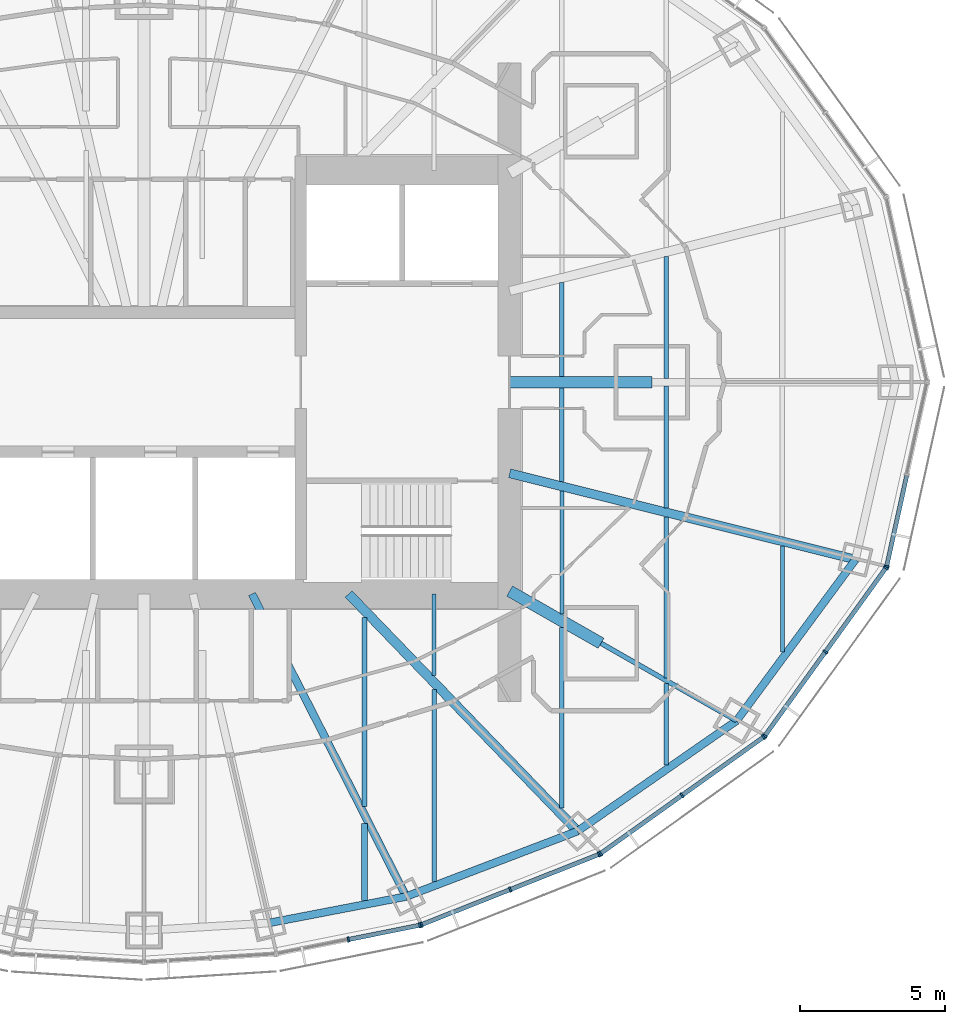
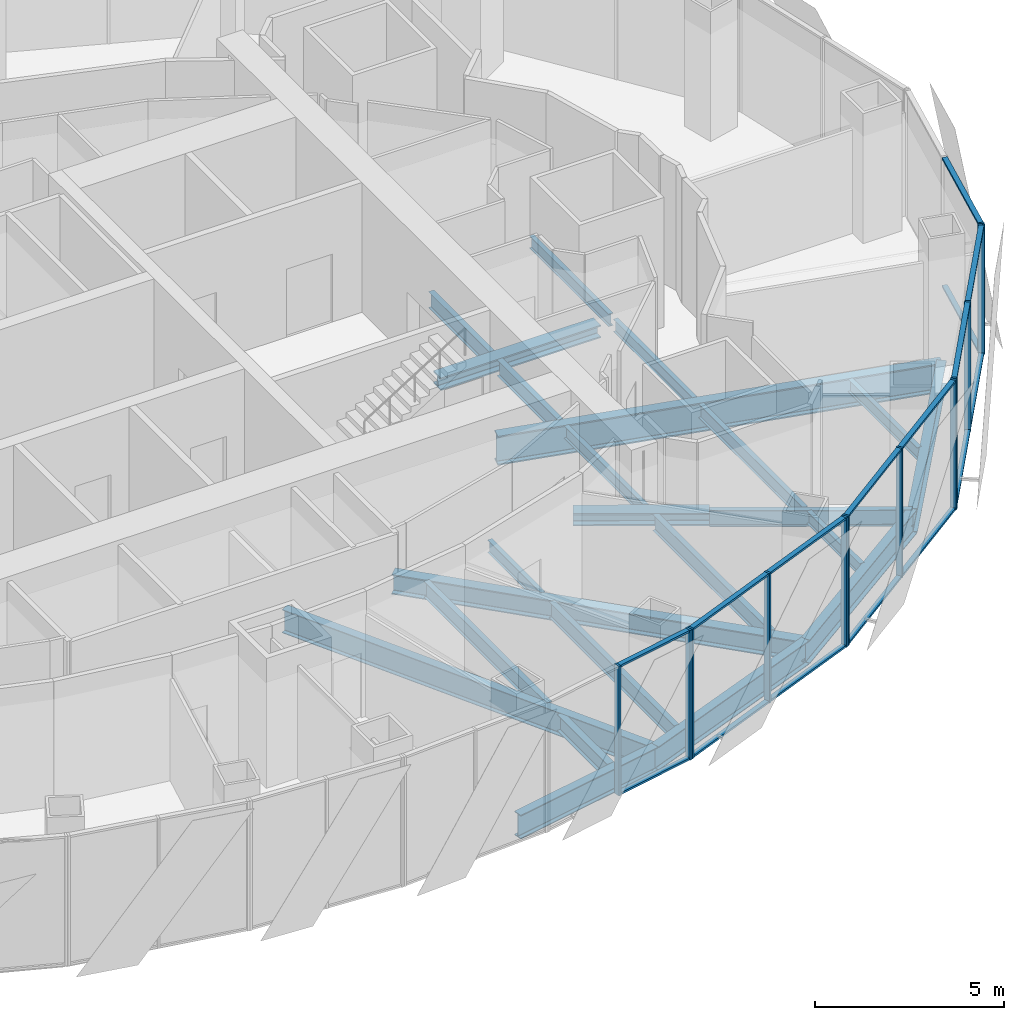
# One storey, part 6 of 19: 28 members, 23 beams, 5 elements without a shape of their own.
"""IFC4 building model written with IfcOpenShell, lengths in metres."""

from ifc_helpers import new_model, si_unit, direction, frame, origin, origin_2d, place, context, subcontext, project, spatial, rectangle, i_section, extrude, material, material_profile, profile_set, type_object, element, aggregate, save


model = new_model("IFC4")

# Units and contexts
model_context = context("Model", 3, precision=1e-05, world=origin(), true_north=direction((0.0, 1.0)))
body_context = subcontext(model_context, "Body", "Model", "MODEL_VIEW")
ifc_project = project(units=[si_unit("LENGTHUNIT", "METRE"), si_unit("AREAUNIT", "SQUARE_METRE"), si_unit("VOLUMEUNIT", "CUBIC_METRE"), si_unit("PLANEANGLEUNIT", "RADIAN"), si_unit("MASSUNIT", "GRAM", prefix="KILO")], contexts=[model_context])

# Site, building, storey
site_placement = place(None, origin())
site = spatial("IfcSite", under=ifc_project, at=site_placement, CompositionType="ELEMENT")
building_placement = place(site_placement, origin())
building = spatial("IfcBuilding", under=site, at=building_placement, Name="Lantaw Convention Tower", CompositionType="ELEMENT")
storey_placement = place(building_placement, frame((0.0, 0.0, 249.39990234375)))
storey = spatial("IfcBuildingStorey", under=building, at=storey_placement, Name="L58", CompositionType="ELEMENT", Elevation=249.39990234375)

# Beams
ifc_material_1 = material(Name="Steel ASTM A992", Category="steel")
ifc_material_profile_1 = material_profile(ifc_material_1, i_section(OverallWidth=0.2666015625, OverallDepth=0.76953125, WebThickness=0.015625, FlangeThickness=0.025390625, FilletRadius=0.0126953125, at=origin_2d()), Name="W30X132")
ifc_profile_set_1 = profile_set([ifc_material_profile_1], Name="Steel ASTM A992")
beam_type_1 = type_object("IfcBeamType", Name="Beam E W30X132", PredefinedType="SPANDREL", material=ifc_profile_set_1)
beam_1_placement = place(storey_placement, frame((4.303955078125, -18.64208984375, -0.53466796875), z_axis=(0.981972091702, 0.189025953556, 0.0), x_axis=(-0.189025953556, 0.981972091702, 0.0)))
element("IfcBeam", 1, at=beam_1_placement, inside=storey, type_object=beam_type_1, Name="Edge beam 20", PredefinedType="SPANDREL", context=body_context, shape_type="SweptSolid", body=[
    extrude(i_section(OverallWidth=0.2666015625, OverallDepth=0.76953125, WebThickness=0.015625, FlangeThickness=0.025390625, FilletRadius=0.0126953125, at=origin_2d()), origin(), (0.0, 0.0, 1.0), 4.817626953125),
])
beam_2_placement = place(storey_placement, frame((9.03466796875, -17.7314453125, -0.53466796875), z_axis=(0.934234988, 0.356658081637, 0.0), x_axis=(-0.356658081637, 0.934234988, 0.0)))
element("IfcBeam", 2, at=beam_2_placement, inside=storey, type_object=beam_type_1, Name="Edge beam 21", PredefinedType="SPANDREL", context=body_context, shape_type="SweptSolid", body=[
    extrude(i_section(OverallWidth=0.2666015625, OverallDepth=0.76953125, WebThickness=0.015625, FlangeThickness=0.025390625, FilletRadius=0.0126953125, at=origin_2d()), origin(), (0.0, 0.0, 1.0), 6.32568359375),
])
beam_3_placement = place(storey_placement, frame((14.9443359375, -15.475341796875, -0.53466796875), z_axis=(0.82135329406, 0.570419815869, 0.0), x_axis=(-0.570419815869, 0.82135329406, 0.0)))
element("IfcBeam", 3, at=beam_3_placement, inside=storey, type_object=beam_type_1, Name="Edge beam 22", PredefinedType="SPANDREL", context=body_context, shape_type="SweptSolid", body=[
    extrude(i_section(OverallWidth=0.2666015625, OverallDepth=0.76953125, WebThickness=0.015625, FlangeThickness=0.025390625, FilletRadius=0.0126953125, at=origin_2d()), origin(), (0.0, 0.0, 1.0), 6.67041015625),
])
beam_4_placement = place(storey_placement, frame((20.423095703125, -11.67041015625, -0.53466796875), z_axis=(0.593639188853, 0.804731329984, 0.0), x_axis=(-0.804731329984, 0.593639188853, 0.0)))
element("IfcBeam", 4, at=beam_4_placement, inside=storey, type_object=beam_type_1, Name="Edge beam 23", PredefinedType="SPANDREL", context=body_context, shape_type="SweptSolid", body=[
    extrude(i_section(OverallWidth=0.2666015625, OverallDepth=0.76953125, WebThickness=0.015625, FlangeThickness=0.025390625, FilletRadius=0.0126953125, at=origin_2d()), origin(), (0.0, 0.0, 1.0), 6.904541015625),
])
ifc_material_profile_2 = material_profile(ifc_material_1, i_section(OverallWidth=0.165771484375, OverallDepth=0.5283203125, WebThickness=0.009765625, FlangeThickness=0.013671875, FilletRadius=0.012939453125, at=origin_2d()), Name="W21X50")
ifc_profile_set_2 = profile_set([ifc_material_profile_2], Name="Steel ASTM A992")
beam_type_2 = type_object("IfcBeamType", Name="Beam G W21X50", PredefinedType="BEAM", material=ifc_profile_set_2)
beam_5_placement = place(storey_placement, frame((15.75, -9.0, -0.4140625), z_axis=(0.868237559289, -0.496148708192, 0.0), x_axis=(0.496148708192, 0.868237559289, 0.0)))
element("IfcBeam", 5, at=beam_5_placement, inside=storey, type_object=beam_type_2, Name="Floor girder on ray 23", PredefinedType="BEAM", context=body_context, shape_type="SweptSolid", body=[
    extrude(i_section(OverallWidth=0.165771484375, OverallDepth=0.5283203125, WebThickness=0.009765625, FlangeThickness=0.013671875, FilletRadius=0.012939453125, at=origin_2d()), origin(), (0.0, 0.0, 1.0), 5.38232421875),
])
ifc_material_profile_3 = material_profile(ifc_material_1, i_section(OverallWidth=0.32763671875, OverallDepth=0.64013671875, WebThickness=0.01904296875, FlangeThickness=0.033935546875, FilletRadius=0.0126953125, at=origin_2d()), Name="W24X176")
ifc_profile_set_3 = profile_set([ifc_material_profile_3], Name="Steel ASTM A992")
beam_type_3 = type_object("IfcBeamType", Name="Beam G W24X176", PredefinedType="BEAM", material=ifc_profile_set_3)
beam_6_placement = place(storey_placement, frame((7.049560546875, -7.300048828125, -0.469970703125), z_axis=(0.694657766726, -0.719340383356, 0.0), x_axis=(0.719340383356, 0.694657766726, 0.0)))
element("IfcBeam", 6, at=beam_6_placement, inside=storey, type_object=beam_type_3, Name="Floor girder on ray 22", PredefinedType="BEAM", context=body_context, shape_type="SweptSolid", body=[
    extrude(i_section(OverallWidth=0.32763671875, OverallDepth=0.64013671875, WebThickness=0.01904296875, FlangeThickness=0.033935546875, FilletRadius=0.0126953125, at=origin_2d()), origin(), (0.0, 0.0, 1.0), 11.364990234375),
])
ifc_material_profile_4 = material_profile(ifc_material_1, i_section(OverallWidth=0.2666015625, OverallDepth=0.7568359375, WebThickness=0.013916015625, FlangeThickness=0.019287109375, FilletRadius=0.0126953125, at=origin_2d()), Name="W30X108")
ifc_profile_set_4 = profile_set([ifc_material_profile_4], Name="Steel ASTM A992")
beam_type_4 = type_object("IfcBeamType", Name="Beam G W30X108", PredefinedType="BEAM", material=ifc_profile_set_4)
beam_7_placement = place(storey_placement, frame((3.719482421875, -7.300048828125, -0.5283203125), z_axis=(0.4539988787, -0.891002254845, 0.0), x_axis=(0.891002254845, 0.4539988787, 0.0)))
element("IfcBeam", 7, at=beam_7_placement, inside=storey, type_object=beam_type_4, Name="Floor girder on ray 21", PredefinedType="BEAM", context=body_context, shape_type="SweptSolid", body=[
    extrude(i_section(OverallWidth=0.2666015625, OverallDepth=0.7568359375, WebThickness=0.013916015625, FlangeThickness=0.019287109375, FilletRadius=0.0126953125, at=origin_2d()), origin(), (0.0, 0.0, 1.0), 11.70751953125),
])
ifc_material_profile_5 = material_profile(ifc_material_1, i_section(OverallWidth=0.307373046875, OverallDepth=0.9423828125, WebThickness=0.022216796875, FlangeThickness=0.039794921875, FilletRadius=0.0126953125, at=origin_2d()), Name="W36X232")
ifc_profile_set_5 = profile_set([ifc_material_profile_5], Name="Steel ASTM A992")
beam_type_5 = type_object("IfcBeamType", Name="Beam G W36X232", PredefinedType="BEAM", material=ifc_profile_set_5)
beam_8_placement = place(storey_placement, frame((12.60009765625, -3.1416015625, -0.62109375), z_axis=(0.970296589314, -0.241918434119, 0.0), x_axis=(0.241918434119, 0.970296589314, 0.0)))
element("IfcBeam", 8, at=beam_8_placement, inside=storey, type_object=beam_type_5, Name="Floor girder on ray 24", PredefinedType="BEAM", context=body_context, shape_type="SweptSolid", body=[
    extrude(i_section(OverallWidth=0.307373046875, OverallDepth=0.9423828125, WebThickness=0.022216796875, FlangeThickness=0.039794921875, FilletRadius=0.0126953125, at=origin_2d()), origin(), (0.0, 0.0, 1.0), 12.286865234375),
])
ifc_material_profile_6 = material_profile(ifc_material_1, i_section(OverallWidth=0.40380859375, OverallDepth=0.406494140625, WebThickness=0.027099609375, FlangeThickness=0.043701171875, FilletRadius=0.01513671875, at=origin_2d()), Name="W14X233")
ifc_profile_set_6 = profile_set([ifc_material_profile_6], Name="Steel ASTM A992")
beam_type_6 = type_object("IfcBeamType", Name="Beam GM W14X233", PredefinedType="BEAM", material=ifc_profile_set_6)
beam_9_placement = place(storey_placement, frame((12.60009765625, 0.0, -0.35302734375), z_axis=(1.0, 0.0, 0.0), x_axis=(0.0, 1.0, 0.0)))
element("IfcBeam", 9, at=beam_9_placement, inside=storey, type_object=beam_type_6, Name="Core link beam on ray 1", PredefinedType="BEAM", context=body_context, shape_type="SweptSolid", body=[
    extrude(i_section(OverallWidth=0.40380859375, OverallDepth=0.406494140625, WebThickness=0.027099609375, FlangeThickness=0.043701171875, FilletRadius=0.01513671875, at=origin_2d()), origin(), (0.0, 0.0, 1.0), 4.89990234375),
])
beam_10_placement = place(storey_placement, frame((12.60009765625, -7.199951171875, -0.35302734375), z_axis=(0.868230718294, -0.496160679428, 0.0), x_axis=(0.496160679428, 0.868230718294, 0.0)))
element("IfcBeam", 10, at=beam_10_placement, inside=storey, type_object=beam_type_6, Name="Core link beam on ray 23", PredefinedType="BEAM", context=body_context, shape_type="SweptSolid", body=[
    extrude(i_section(OverallWidth=0.40380859375, OverallDepth=0.406494140625, WebThickness=0.027099609375, FlangeThickness=0.043701171875, FilletRadius=0.01513671875, at=origin_2d()), origin(), (0.0, 0.0, 1.0), 3.6279296875),
])
ifc_material_profile_7 = material_profile(ifc_material_1, i_section(OverallWidth=0.140380859375, OverallDepth=0.40380859375, WebThickness=0.007080078125, FlangeThickness=0.01123046875, FilletRadius=0.01025390625, at=origin_2d()), Name="W16X31")
ifc_profile_set_7 = profile_set([ifc_material_profile_7], Name="Steel ASTM A992")
beam_type_7 = type_object("IfcBeamType", Name="Beam J W16X31", PredefinedType="JOIST", material=ifc_profile_set_7)
beam_11_placement = place(storey_placement, frame((10.0, -10.119384765625, -0.351806640625), z_axis=(0.0, 1.0, 0.0), x_axis=(-1.0, 0.0, 0.0)))
element("IfcBeam", 11, at=beam_11_placement, inside=storey, type_object=beam_type_7, Name="Floor joist", PredefinedType="JOIST", context=body_context, shape_type="SweptSolid", body=[
    extrude(i_section(OverallWidth=0.140380859375, OverallDepth=0.40380859375, WebThickness=0.007080078125, FlangeThickness=0.01123046875, FilletRadius=0.01025390625, at=origin_2d()), origin(), (0.0, 0.0, 1.0), 2.8193359375),
])
beam_12_placement = place(storey_placement, frame((14.39990234375, -7.99609375, -0.351806640625), z_axis=(0.0, 1.0, 0.0), x_axis=(-1.0, 0.0, 0.0)))
element("IfcBeam", 12, at=beam_12_placement, inside=storey, type_object=beam_type_7, Name="Floor joist", PredefinedType="JOIST", context=body_context, shape_type="SweptSolid", body=[
    extrude(i_section(OverallWidth=0.140380859375, OverallDepth=0.40380859375, WebThickness=0.007080078125, FlangeThickness=0.01123046875, FilletRadius=0.01025390625, at=origin_2d()), origin(), (0.0, 0.0, 1.0), 4.247314453125),
])
beam_13_placement = place(storey_placement, frame((18.0, -13.19091796875, -0.351806640625), z_axis=(0.0, 1.0, 0.0), x_axis=(-1.0, 0.0, 0.0)))
element("IfcBeam", 13, at=beam_13_placement, inside=storey, type_object=beam_type_7, Name="Floor joist", PredefinedType="JOIST", context=body_context, shape_type="SweptSolid", body=[
    extrude(i_section(OverallWidth=0.140380859375, OverallDepth=0.40380859375, WebThickness=0.007080078125, FlangeThickness=0.01123046875, FilletRadius=0.01025390625, at=origin_2d()), origin(), (0.0, 0.0, 1.0), 2.8095703125),
])
for number, where, z_axis, x_axis, name in (
    (14, (18.0, -4.32958984375, -0.351806640625), (0.0, 1.0, 0.0), (-1.0, 0.0, 0.0), "Floor joist"),
    (15, (18.0, 0.126953125, -0.351806640625), (0.0, 1.0, 0.0), (-1.0, 0.0, 0.0), "Floor joist"),
):
    element("IfcBeam", number, at=place(storey_placement, frame(where, z_axis=z_axis, x_axis=x_axis)), inside=storey, type_object=beam_type_7, Name=name, PredefinedType="JOIST", context=body_context, shape_type="SweptSolid", body=[
        extrude(i_section(OverallWidth=0.140380859375, OverallDepth=0.40380859375, WebThickness=0.007080078125, FlangeThickness=0.01123046875, FilletRadius=0.01025390625, at=origin_2d()), origin(), (0.0, 0.0, 1.0), 4.20263671875),
    ])
beam_14_placement = place(storey_placement, frame((22.0, -9.30810546875, -0.351806640625), z_axis=(0.0, 1.0, 0.0), x_axis=(-1.0, 0.0, 0.0)))
element("IfcBeam", 16, at=beam_14_placement, inside=storey, type_object=beam_type_7, Name="Floor joist", PredefinedType="JOIST", context=body_context, shape_type="SweptSolid", body=[
    extrude(i_section(OverallWidth=0.140380859375, OverallDepth=0.40380859375, WebThickness=0.007080078125, FlangeThickness=0.01123046875, FilletRadius=0.01025390625, at=origin_2d()), origin(), (0.0, 0.0, 1.0), 3.66455078125),
])
ifc_material_profile_8 = material_profile(ifc_material_1, i_section(OverallWidth=0.15234375, OverallDepth=0.449462890625, WebThickness=0.007568359375, FlangeThickness=0.0107421875, FilletRadius=0.01025390625, at=origin_2d()), Name="W18X35")
ifc_profile_set_8 = profile_set([ifc_material_profile_8], Name="Steel ASTM A992")
beam_type_8 = type_object("IfcBeamType", Name="Beam J W18X35", PredefinedType="JOIST", material=ifc_profile_set_8)
beam_15_placement = place(storey_placement, frame((18.0, -10.190185546875, -0.374755859375), z_axis=(0.0, 1.0, 0.0), x_axis=(-1.0, 0.0, 0.0)))
element("IfcBeam", 17, at=beam_15_placement, inside=storey, type_object=beam_type_8, Name="Floor joist", PredefinedType="JOIST", context=body_context, shape_type="SweptSolid", body=[
    extrude(i_section(OverallWidth=0.15234375, OverallDepth=0.449462890625, WebThickness=0.007568359375, FlangeThickness=0.0107421875, FilletRadius=0.01025390625, at=origin_2d()), origin(), (0.0, 0.0, 1.0), 5.5439453125),
])
ifc_material_profile_9 = material_profile(ifc_material_1, i_section(OverallWidth=0.1650390625, OverallDepth=0.52587890625, WebThickness=0.0087890625, FlangeThickness=0.011474609375, FilletRadius=0.0126953125, at=origin_2d()), Name="W21X44")
ifc_profile_set_9 = profile_set([ifc_material_profile_9], Name="Steel ASTM A992")
beam_type_9 = type_object("IfcBeamType", Name="Beam J W21X44", PredefinedType="JOIST", material=ifc_profile_set_9)
beam_16_placement = place(storey_placement, frame((7.60009765625, -14.6220703125, -0.412841796875), z_axis=(0.0, 1.0, 0.0), x_axis=(-1.0, 0.0, 0.0)))
element("IfcBeam", 18, at=beam_16_placement, inside=storey, type_object=beam_type_9, Name="Floor joist", PredefinedType="JOIST", context=body_context, shape_type="SweptSolid", body=[
    extrude(i_section(OverallWidth=0.1650390625, OverallDepth=0.52587890625, WebThickness=0.0087890625, FlangeThickness=0.011474609375, FilletRadius=0.0126953125, at=origin_2d()), origin(), (0.0, 0.0, 1.0), 6.51611328125),
])
beam_17_placement = place(storey_placement, frame((10.0, -17.22021484375, -0.412841796875), z_axis=(0.0, 1.0, 0.0), x_axis=(-1.0, 0.0, 0.0)))
element("IfcBeam", 19, at=beam_17_placement, inside=storey, type_object=beam_type_9, Name="Floor joist", PredefinedType="JOIST", context=body_context, shape_type="SweptSolid", body=[
    extrude(i_section(OverallWidth=0.1650390625, OverallDepth=0.52587890625, WebThickness=0.0087890625, FlangeThickness=0.011474609375, FilletRadius=0.0126953125, at=origin_2d()), origin(), (0.0, 0.0, 1.0), 6.629150390625),
])
beam_18_placement = place(storey_placement, frame((14.39990234375, -14.67578125, -0.412841796875), z_axis=(0.0, 1.0, 0.0), x_axis=(-1.0, 0.0, 0.0)))
element("IfcBeam", 20, at=beam_18_placement, inside=storey, type_object=beam_type_9, Name="Floor joist", PredefinedType="JOIST", context=body_context, shape_type="SweptSolid", body=[
    extrude(i_section(OverallWidth=0.1650390625, OverallDepth=0.52587890625, WebThickness=0.0087890625, FlangeThickness=0.011474609375, FilletRadius=0.0126953125, at=origin_2d()), origin(), (0.0, 0.0, 1.0), 6.214599609375),
])
for number, where, z_axis, x_axis, name in (
    (21, (14.39990234375, -3.431884765625, -0.412841796875), (0.0, 1.0, 0.0), (-1.0, 0.0, 0.0), "Floor joist"),
    (22, (14.39990234375, 0.201904296875, -0.412841796875), (0.0, 1.0, 0.0), (-1.0, 0.0, 0.0), "Floor joist"),
):
    element("IfcBeam", number, at=place(storey_placement, frame(where, z_axis=z_axis, x_axis=x_axis)), inside=storey, type_object=beam_type_9, Name=name, PredefinedType="JOIST", context=body_context, shape_type="SweptSolid", body=[
        extrude(i_section(OverallWidth=0.1650390625, OverallDepth=0.52587890625, WebThickness=0.0087890625, FlangeThickness=0.011474609375, FilletRadius=0.0126953125, at=origin_2d()), origin(), (0.0, 0.0, 1.0), 3.22998046875),
    ])
ifc_material_profile_10 = material_profile(ifc_material_1, i_section(OverallWidth=0.2099609375, OverallDepth=0.535888671875, WebThickness=0.010986328125, FlangeThickness=0.017333984375, FilletRadius=0.012939453125, at=origin_2d()), Name="W21X68")
ifc_profile_set_10 = profile_set([ifc_material_profile_10], Name="Steel ASTM A992")
beam_type_10 = type_object("IfcBeamType", Name="Beam J W21X68", PredefinedType="JOIST", material=ifc_profile_set_10)
beam_19_placement = place(storey_placement, frame((7.60009765625, -17.871826171875, -0.41796875), z_axis=(0.0, 1.0, 0.0), x_axis=(-1.0, 0.0, 0.0)))
element("IfcBeam", 23, at=beam_19_placement, inside=storey, type_object=beam_type_10, Name="Floor joist", PredefinedType="JOIST", context=body_context, shape_type="SweptSolid", body=[
    extrude(i_section(OverallWidth=0.2099609375, OverallDepth=0.535888671875, WebThickness=0.010986328125, FlangeThickness=0.017333984375, FilletRadius=0.012939453125, at=origin_2d()), origin(), (0.0, 0.0, 1.0), 2.662353515625),
])

# Curtain wall, members
ifc_material_2 = material(Name="Aluminium framed curtain wall", Category="aluminium")
curtain_wall_type = type_object("IfcCurtainWallType", Name="Office curtain wall high rise, pale aluminium", PredefinedType="USERDEFINED", material=ifc_material_2)
curtain_wall_1_placement = place(storey_placement, origin())
curtain_wall_1 = element("IfcCurtainWall", 24, at=curtain_wall_1_placement, inside=storey, type_object=curtain_wall_type, Name="Office curtain wall high rise, pale aluminium L58", ObjectType="UNITISED CURTAIN WALL", PredefinedType="USERDEFINED")
ifc_material_3 = material(Name="Aluminium 6063-T6", Category="aluminium")
ifc_material_profile_11 = material_profile(ifc_material_3, rectangle(XDim=0.179931640625, YDim=0.06494140625, at=origin_2d()), Name="CW-O2 mullion 65x180")
ifc_profile_set_11 = profile_set([ifc_material_profile_11], Name="Aluminium 6063-T6")
member_type_1 = type_object("IfcMemberType", Name="CW-O2 mullion 65x180", PredefinedType="MULLION", material=ifc_profile_set_11)
member_1_placement = place(storey_placement, frame((7.042724609375, -19.212646484375, -0.14990234375), z_axis=(0.0, 0.0, 1.0), x_axis=(-0.197183095987, 0.980366679695, 0.0)))
member_1 = element("IfcMember", 25, at=member_1_placement, type_object=member_type_1, Name="CW-O2 mullion 2", PredefinedType="MULLION", context=body_context, shape_type="SweptSolid", body=[
    extrude(rectangle(XDim=0.179931640625, YDim=0.06494140625, at=origin_2d()), origin(), (0.0, 0.0, 1.0), 4.199951171875),
])
member_2_placement = place(storey_placement, frame((9.502197265625, -18.718017578125, -0.14990234375), z_axis=(0.0, 0.0, 1.0), x_axis=(-0.197183095987, 0.980366679695, 0.0)))
member_2 = element("IfcMember", 26, at=member_2_placement, type_object=member_type_1, Name="CW-O2 mullion 3", PredefinedType="MULLION", context=body_context, shape_type="SweptSolid", body=[
    extrude(rectangle(XDim=0.179931640625, YDim=0.06494140625, at=origin_2d()), origin(), (0.0, 0.0, 1.0), 4.199951171875),
])

curtain_wall_2_placement = place(storey_placement, origin())
curtain_wall_2 = element("IfcCurtainWall", 27, at=curtain_wall_2_placement, inside=storey, type_object=curtain_wall_type, Name="Office curtain wall high rise, pale aluminium L58", ObjectType="UNITISED CURTAIN WALL", PredefinedType="USERDEFINED")
member_3_placement = place(storey_placement, frame((9.564208984375, -18.69970703125, -0.14990234375), z_axis=(0.0, 0.0, 1.0), x_axis=(-0.368162315252, 0.929761533743, 0.0)))
member_3 = element("IfcMember", 28, at=member_3_placement, type_object=member_type_1, Name="CW-O2 mullion 1", PredefinedType="MULLION", context=body_context, shape_type="SweptSolid", body=[
    extrude(rectangle(XDim=0.179931640625, YDim=0.06494140625, at=origin_2d()), origin(), (0.0, 0.0, 1.0), 4.199951171875),
])
member_4_placement = place(storey_placement, frame((12.621337890625, -17.4892578125, -0.14990234375), z_axis=(0.0, 0.0, 1.0), x_axis=(-0.368162315252, 0.929761533743, 0.0)))
member_4 = element("IfcMember", 29, at=member_4_placement, type_object=member_type_1, Name="CW-O2 mullion 2", PredefinedType="MULLION", context=body_context, shape_type="SweptSolid", body=[
    extrude(rectangle(XDim=0.179931640625, YDim=0.06494140625, at=origin_2d()), origin(), (0.0, 0.0, 1.0), 4.199951171875),
])
member_5_placement = place(storey_placement, frame((15.67822265625, -16.278564453125, -0.14990234375), z_axis=(0.0, 0.0, 1.0), x_axis=(-0.368162315252, 0.929761533743, 0.0)))
member_5 = element("IfcMember", 30, at=member_5_placement, type_object=member_type_1, Name="CW-O2 mullion 3", PredefinedType="MULLION", context=body_context, shape_type="SweptSolid", body=[
    extrude(rectangle(XDim=0.179931640625, YDim=0.06494140625, at=origin_2d()), origin(), (0.0, 0.0, 1.0), 4.199951171875),
])

curtain_wall_3_placement = place(storey_placement, origin())
curtain_wall_3 = element("IfcCurtainWall", 31, at=curtain_wall_3_placement, inside=storey, type_object=curtain_wall_type, Name="Office curtain wall high rise, pale aluminium L58", ObjectType="UNITISED CURTAIN WALL", PredefinedType="USERDEFINED")
member_6_placement = place(storey_placement, frame((15.73486328125, -16.247802734375, -0.14990234375), z_axis=(0.0, 0.0, 1.0), x_axis=(-0.581323487281, 0.813672540482, 0.0)))
member_6 = element("IfcMember", 32, at=member_6_placement, type_object=member_type_1, Name="CW-O2 mullion 1", PredefinedType="MULLION", context=body_context, shape_type="SweptSolid", body=[
    extrude(rectangle(XDim=0.179931640625, YDim=0.06494140625, at=origin_2d()), origin(), (0.0, 0.0, 1.0), 4.199951171875),
])
member_7_placement = place(storey_placement, frame((18.543212890625, -14.241455078125, -0.14990234375), z_axis=(0.0, 0.0, 1.0), x_axis=(-0.581323487281, 0.813672540482, 0.0)))
member_7 = element("IfcMember", 33, at=member_7_placement, type_object=member_type_1, Name="CW-O2 mullion 2", PredefinedType="MULLION", context=body_context, shape_type="SweptSolid", body=[
    extrude(rectangle(XDim=0.179931640625, YDim=0.06494140625, at=origin_2d()), origin(), (0.0, 0.0, 1.0), 4.199951171875),
])
member_8_placement = place(storey_placement, frame((21.3515625, -12.23486328125, -0.14990234375), z_axis=(0.0, 0.0, 1.0), x_axis=(-0.581323487281, 0.813672540482, 0.0)))
member_8 = element("IfcMember", 34, at=member_8_placement, type_object=member_type_1, Name="CW-O2 mullion 3", PredefinedType="MULLION", context=body_context, shape_type="SweptSolid", body=[
    extrude(rectangle(XDim=0.179931640625, YDim=0.06494140625, at=origin_2d()), origin(), (0.0, 0.0, 1.0), 4.199951171875),
])

curtain_wall_4_placement = place(storey_placement, origin())
curtain_wall_4 = element("IfcCurtainWall", 35, at=curtain_wall_4_placement, inside=storey, type_object=curtain_wall_type, Name="Office curtain wall high rise, pale aluminium L58", ObjectType="UNITISED CURTAIN WALL", PredefinedType="USERDEFINED")
member_9_placement = place(storey_placement, frame((21.397216796875, -12.189697265625, -0.14990234375), z_axis=(0.0, 0.0, 1.0), x_axis=(-0.810919559405, 0.585157643865, 0.0)))
member_9 = element("IfcMember", 36, at=member_9_placement, type_object=member_type_1, Name="CW-O2 mullion 1", PredefinedType="MULLION", context=body_context, shape_type="SweptSolid", body=[
    extrude(rectangle(XDim=0.179931640625, YDim=0.06494140625, at=origin_2d()), origin(), (0.0, 0.0, 1.0), 4.199951171875),
])
member_10_placement = place(storey_placement, frame((23.483642578125, -9.298095703125, -0.14990234375), z_axis=(0.0, 0.0, 1.0), x_axis=(-0.810919559405, 0.585157643865, 0.0)))
member_10 = element("IfcMember", 37, at=member_10_placement, type_object=member_type_1, Name="CW-O2 mullion 2", PredefinedType="MULLION", context=body_context, shape_type="SweptSolid", body=[
    extrude(rectangle(XDim=0.179931640625, YDim=0.06494140625, at=origin_2d()), origin(), (0.0, 0.0, 1.0), 4.199951171875),
])
member_11_placement = place(storey_placement, frame((25.5703125, -6.406494140625, -0.14990234375), z_axis=(0.0, 0.0, 1.0), x_axis=(-0.810919559405, 0.585157643865, 0.0)))
member_11 = element("IfcMember", 38, at=member_11_placement, type_object=member_type_1, Name="CW-O2 mullion 3", PredefinedType="MULLION", context=body_context, shape_type="SweptSolid", body=[
    extrude(rectangle(XDim=0.179931640625, YDim=0.06494140625, at=origin_2d()), origin(), (0.0, 0.0, 1.0), 4.199951171875),
])

# Curtain wall, member
curtain_wall_5_placement = place(storey_placement, origin())
curtain_wall_5 = element("IfcCurtainWall", 39, at=curtain_wall_5_placement, inside=storey, type_object=curtain_wall_type, Name="Office curtain wall high rise, pale aluminium L58", ObjectType="UNITISED CURTAIN WALL", PredefinedType="USERDEFINED")
member_12_placement = place(storey_placement, frame((25.596435546875, -6.348388671875, -0.14990234375), z_axis=(0.0, 0.0, 1.0), x_axis=(-0.976417396437, 0.215891333626, 0.0)))
member_12 = element("IfcMember", 40, at=member_12_placement, type_object=member_type_1, Name="CW-O2 mullion 1", PredefinedType="MULLION", context=body_context, shape_type="SweptSolid", body=[
    extrude(rectangle(XDim=0.179931640625, YDim=0.06494140625, at=origin_2d()), origin(), (0.0, 0.0, 1.0), 4.199951171875),
])

# Member
ifc_material_profile_12 = material_profile(ifc_material_3, rectangle(XDim=0.14990234375, YDim=0.06494140625, at=origin_2d()), Name="CW-O2 transom 65x150")
ifc_profile_set_12 = profile_set([ifc_material_profile_12], Name="Aluminium 6063-T6")
member_type_2 = type_object("IfcMemberType", Name="CW-O2 transom 65x150", PredefinedType="USERDEFINED", material=ifc_profile_set_12)
member_13_placement = place(storey_placement, frame((7.074462890625, -19.206298828125, -0.117431640625), z_axis=(0.98036104319, 0.197211117829, 0.0), x_axis=(-0.197211117829, 0.98036104319, 0.0)))
member_13 = element("IfcMember", 41, at=member_13_placement, type_object=member_type_2, Name="CW-O2 transom 2.1", ObjectType="TRANSOM", PredefinedType="USERDEFINED", context=body_context, shape_type="SweptSolid", body=[
    extrude(rectangle(XDim=0.14990234375, YDim=0.06494140625, at=origin_2d()), origin(), (0.0, 0.0, 1.0), 2.44384765625),
])

member_14_placement = place(storey_placement, frame((7.074462890625, -19.206298828125, 4.017578125), z_axis=(0.98036104319, 0.197211117829, 0.0), x_axis=(-0.197211117829, 0.98036104319, 0.0)))
member_14 = element("IfcMember", 42, at=member_14_placement, type_object=member_type_2, Name="CW-O2 transom 2.2", ObjectType="TRANSOM", PredefinedType="USERDEFINED", context=body_context, shape_type="SweptSolid", body=[
    extrude(rectangle(XDim=0.14990234375, YDim=0.06494140625, at=origin_2d()), origin(), (0.0, 0.0, 1.0), 2.44384765625),
])

aggregate(curtain_wall_1, [member_1, member_2, member_13, member_14])

member_15_placement = place(storey_placement, frame((9.594482421875, -18.687744140625, -0.117431640625), z_axis=(0.929766642946, 0.368149412149, 0.0), x_axis=(-0.368149412149, 0.929766642946, 0.0)))
member_15 = element("IfcMember", 43, at=member_15_placement, type_object=member_type_2, Name="CW-O2 transom 1.1", ObjectType="TRANSOM", PredefinedType="USERDEFINED", context=body_context, shape_type="SweptSolid", body=[
    extrude(rectangle(XDim=0.14990234375, YDim=0.06494140625, at=origin_2d()), origin(), (0.0, 0.0, 1.0), 3.222900390625),
])

member_16_placement = place(storey_placement, frame((9.594482421875, -18.687744140625, 4.017578125), z_axis=(0.929766642946, 0.368149412149, 0.0), x_axis=(-0.368149412149, 0.929766642946, 0.0)))
member_16 = element("IfcMember", 44, at=member_16_placement, type_object=member_type_2, Name="CW-O2 transom 1.2", ObjectType="TRANSOM", PredefinedType="USERDEFINED", context=body_context, shape_type="SweptSolid", body=[
    extrude(rectangle(XDim=0.14990234375, YDim=0.06494140625, at=origin_2d()), origin(), (0.0, 0.0, 1.0), 3.222900390625),
])

member_17_placement = place(storey_placement, frame((12.651611328125, -17.477294921875, -0.117431640625), z_axis=(0.929740712354, 0.368214893495, 0.0), x_axis=(-0.368214893495, 0.929740712354, 0.0)))
member_17 = element("IfcMember", 45, at=member_17_placement, type_object=member_type_2, Name="CW-O2 transom 2.1", ObjectType="TRANSOM", PredefinedType="USERDEFINED", context=body_context, shape_type="SweptSolid", body=[
    extrude(rectangle(XDim=0.14990234375, YDim=0.06494140625, at=origin_2d()), origin(), (0.0, 0.0, 1.0), 3.22314453125),
])

member_18_placement = place(storey_placement, frame((12.651611328125, -17.477294921875, 4.017578125), z_axis=(0.929740712354, 0.368214893495, 0.0), x_axis=(-0.368214893495, 0.929740712354, 0.0)))
member_18 = element("IfcMember", 46, at=member_18_placement, type_object=member_type_2, Name="CW-O2 transom 2.2", ObjectType="TRANSOM", PredefinedType="USERDEFINED", context=body_context, shape_type="SweptSolid", body=[
    extrude(rectangle(XDim=0.14990234375, YDim=0.06494140625, at=origin_2d()), origin(), (0.0, 0.0, 1.0), 3.22314453125),
])

aggregate(curtain_wall_2, [member_3, member_4, member_5, member_15, member_16, member_17, member_18])

member_19_placement = place(storey_placement, frame((15.761474609375, -16.22900390625, -0.117431640625), z_axis=(0.813645780821, 0.581360940683, 0.0), x_axis=(-0.581360940683, 0.813645780821, 0.0)))
member_19 = element("IfcMember", 47, at=member_19_placement, type_object=member_type_2, Name="CW-O2 transom 1.1", ObjectType="TRANSOM", PredefinedType="USERDEFINED", context=body_context, shape_type="SweptSolid", body=[
    extrude(rectangle(XDim=0.14990234375, YDim=0.06494140625, at=origin_2d()), origin(), (0.0, 0.0, 1.0), 3.386474609375),
])

member_20_placement = place(storey_placement, frame((15.761474609375, -16.22900390625, 4.017578125), z_axis=(0.813645780821, 0.581360940683, 0.0), x_axis=(-0.581360940683, 0.813645780821, 0.0)))
member_20 = element("IfcMember", 48, at=member_20_placement, type_object=member_type_2, Name="CW-O2 transom 1.2", ObjectType="TRANSOM", PredefinedType="USERDEFINED", context=body_context, shape_type="SweptSolid", body=[
    extrude(rectangle(XDim=0.14990234375, YDim=0.06494140625, at=origin_2d()), origin(), (0.0, 0.0, 1.0), 3.386474609375),
])

member_21_placement = place(storey_placement, frame((18.56982421875, -14.222412109375, -0.117431640625), z_axis=(0.813679882592, 0.581313210468, 0.0), x_axis=(-0.581313210468, 0.813679882592, 0.0)))
member_21 = element("IfcMember", 49, at=member_21_placement, type_object=member_type_2, Name="CW-O2 transom 2.1", ObjectType="TRANSOM", PredefinedType="USERDEFINED", context=body_context, shape_type="SweptSolid", body=[
    extrude(rectangle(XDim=0.14990234375, YDim=0.06494140625, at=origin_2d()), origin(), (0.0, 0.0, 1.0), 3.38623046875),
])

member_22_placement = place(storey_placement, frame((18.56982421875, -14.222412109375, 4.017578125), z_axis=(0.813679882592, 0.581313210468, 0.0), x_axis=(-0.581313210468, 0.813679882592, 0.0)))
member_22 = element("IfcMember", 50, at=member_22_placement, type_object=member_type_2, Name="CW-O2 transom 2.2", ObjectType="TRANSOM", PredefinedType="USERDEFINED", context=body_context, shape_type="SweptSolid", body=[
    extrude(rectangle(XDim=0.14990234375, YDim=0.06494140625, at=origin_2d()), origin(), (0.0, 0.0, 1.0), 3.38623046875),
])

aggregate(curtain_wall_3, [member_6, member_7, member_8, member_19, member_20, member_21, member_22])

member_23_placement = place(storey_placement, frame((21.416259765625, -12.163330078125, -0.117431640625), z_axis=(0.585123825205, 0.810943961798, 0.0), x_axis=(-0.810943961798, 0.585123825205, 0.0)))
member_23 = element("IfcMember", 51, at=member_23_placement, type_object=member_type_2, Name="CW-O2 transom 1.1", ObjectType="TRANSOM", PredefinedType="USERDEFINED", context=body_context, shape_type="SweptSolid", body=[
    extrude(rectangle(XDim=0.14990234375, YDim=0.06494140625, at=origin_2d()), origin(), (0.0, 0.0, 1.0), 3.500732421875),
])

member_24_placement = place(storey_placement, frame((21.416259765625, -12.163330078125, 4.017578125), z_axis=(0.585123825205, 0.810943961798, 0.0), x_axis=(-0.810943961798, 0.585123825205, 0.0)))
member_24 = element("IfcMember", 52, at=member_24_placement, type_object=member_type_2, Name="CW-O2 transom 1.2", ObjectType="TRANSOM", PredefinedType="USERDEFINED", context=body_context, shape_type="SweptSolid", body=[
    extrude(rectangle(XDim=0.14990234375, YDim=0.06494140625, at=origin_2d()), origin(), (0.0, 0.0, 1.0), 3.500732421875),
])

member_25_placement = place(storey_placement, frame((23.502685546875, -9.271728515625, -0.117431640625), z_axis=(0.585169685931, 0.810910869743, 0.0), x_axis=(-0.810910869743, 0.585169685931, 0.0)))
member_25 = element("IfcMember", 53, at=member_25_placement, type_object=member_type_2, Name="CW-O2 transom 2.1", ObjectType="TRANSOM", PredefinedType="USERDEFINED", context=body_context, shape_type="SweptSolid", body=[
    extrude(rectangle(XDim=0.14990234375, YDim=0.06494140625, at=origin_2d()), origin(), (0.0, 0.0, 1.0), 3.500732421875),
])

member_26_placement = place(storey_placement, frame((23.502685546875, -9.271728515625, 4.017578125), z_axis=(0.585169685931, 0.810910869743, 0.0), x_axis=(-0.810910869743, 0.585169685931, 0.0)))
member_26 = element("IfcMember", 54, at=member_26_placement, type_object=member_type_2, Name="CW-O2 transom 2.2", ObjectType="TRANSOM", PredefinedType="USERDEFINED", context=body_context, shape_type="SweptSolid", body=[
    extrude(rectangle(XDim=0.14990234375, YDim=0.06494140625, at=origin_2d()), origin(), (0.0, 0.0, 1.0), 3.500732421875),
])

aggregate(curtain_wall_4, [member_9, member_10, member_11, member_23, member_24, member_25, member_26])

member_27_placement = place(storey_placement, frame((25.603271484375, -6.316650390625, -0.117431640625), z_axis=(0.215894607042, 0.976416672661, 0.0), x_axis=(-0.976416672661, 0.215894607042, 0.0)))
member_27 = element("IfcMember", 55, at=member_27_placement, type_object=member_type_2, Name="CW-O2 transom 1.1", ObjectType="TRANSOM", PredefinedType="USERDEFINED", context=body_context, shape_type="SweptSolid", body=[
    extrude(rectangle(XDim=0.14990234375, YDim=0.06494140625, at=origin_2d()), origin(), (0.0, 0.0, 1.0), 3.169677734375),
])

member_28_placement = place(storey_placement, frame((25.603271484375, -6.316650390625, 4.017578125), z_axis=(0.215894607042, 0.976416672661, 0.0), x_axis=(-0.976416672661, 0.215894607042, 0.0)))
member_28 = element("IfcMember", 56, at=member_28_placement, type_object=member_type_2, Name="CW-O2 transom 1.2", ObjectType="TRANSOM", PredefinedType="USERDEFINED", context=body_context, shape_type="SweptSolid", body=[
    extrude(rectangle(XDim=0.14990234375, YDim=0.06494140625, at=origin_2d()), origin(), (0.0, 0.0, 1.0), 3.169677734375),
])

aggregate(curtain_wall_5, [member_12, member_27, member_28])

save(model, "model.ifc")
